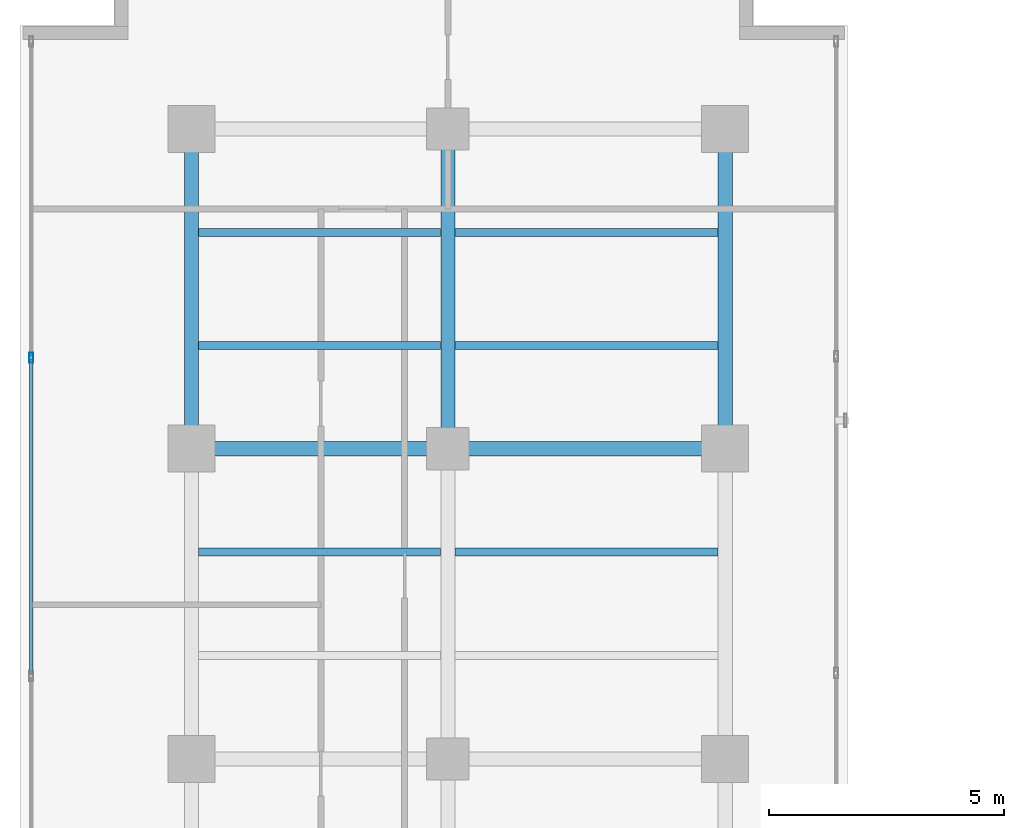
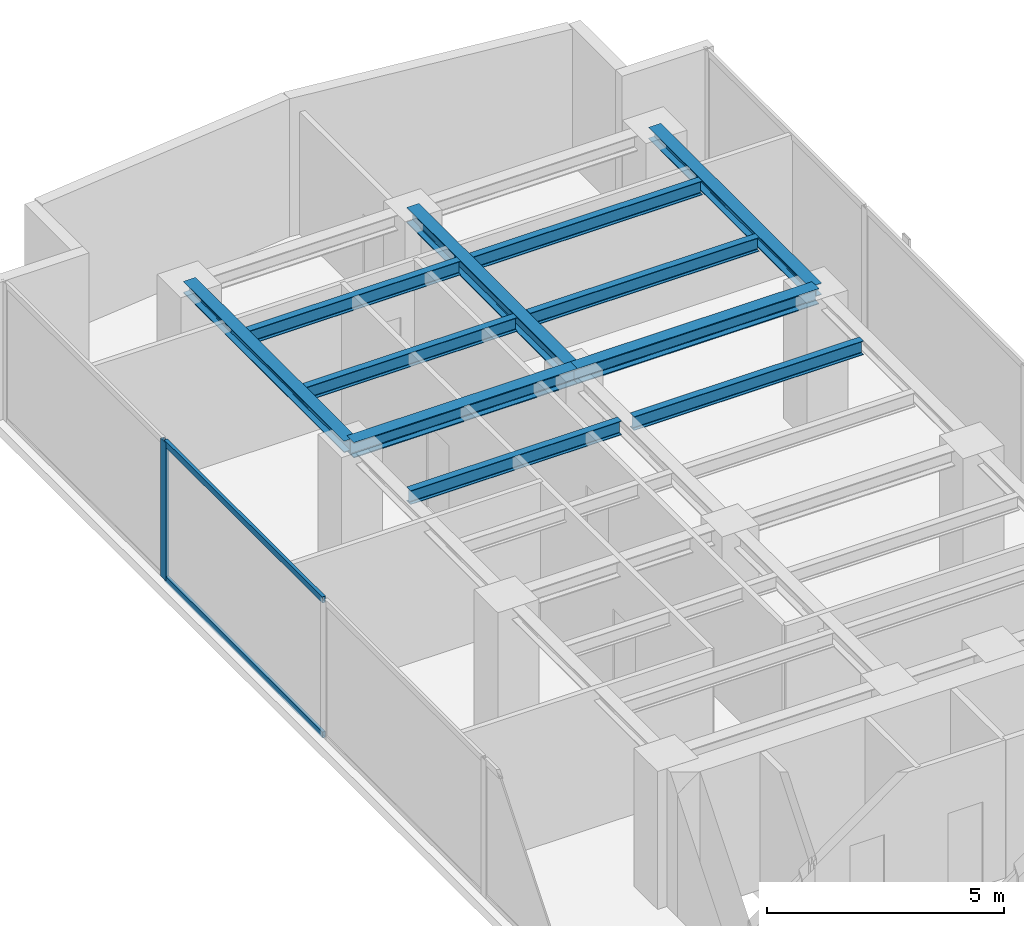
# One storey, part 12 of 23: 11 beams, 3 members, 1 element without a shape of its own.
"""IFC4 building model written with IfcOpenShell, lengths in metres."""

from ifc_helpers import new_model, si_unit, direction, frame, origin, origin_with_axes, origin_2d, place, context, subcontext, project, spatial, hollow_rectangle, i_section, extrude, source, transform, mapped, material, layer, layer_set, material_profile, profile_set, type_object, element, aggregate, save


model = new_model("IFC4")

# Units and contexts
model_context = context("Model", 3, precision=1e-05, world=origin(), true_north=direction((0.0, 1.0)))
body_context = subcontext(model_context, "Body", "Model", "MODEL_VIEW")
ifc_project = project(units=[si_unit("LENGTHUNIT", "METRE"), si_unit("AREAUNIT", "SQUARE_METRE"), si_unit("VOLUMEUNIT", "CUBIC_METRE"), si_unit("PLANEANGLEUNIT", "RADIAN"), si_unit("MASSUNIT", "GRAM", prefix="KILO")], contexts=[model_context])

# Site, building, storey
site_placement = place(None, origin())
site = spatial("IfcSite", under=ifc_project, at=site_placement, CompositionType="ELEMENT")
building_placement = place(site_placement, origin())
building = spatial("IfcBuilding", under=site, at=building_placement, Name="Kolvaren Waterfront Exchange", CompositionType="ELEMENT")
storey_placement = place(building_placement, frame((0.0, 0.0, 242.5)))
storey = spatial("IfcBuildingStorey", under=building, at=storey_placement, Name="L62", CompositionType="ELEMENT", Elevation=242.5)

# Beams
ifc_material_1 = material(Name="Steel S355", Category="steel")
ifc_material_profile_1 = material_profile(ifc_material_1, i_section(OverallWidth=0.300048828125, OverallDepth=0.300048828125, WebThickness=0.010986328125, FlangeThickness=0.01904296875, FilletRadius=0.027099609375, at=origin_2d()), Name="HEB300")
ifc_profile_set_1 = profile_set([ifc_material_profile_1], Name="Steel S355")
beam_type_1 = type_object("IfcBeamType", Name="STR-BM-HEB300", PredefinedType="SPANDREL", material=ifc_profile_set_1)
for number, where, z_axis, x_axis, name in (
    (1, (7.449951171875, 37.800048828125, 3.409912109375), (0.0, 1.0, 0.0), (-1.0, 0.0, 0.0), "L62 north-arm edge beam 3"),
    (2, (18.800048828125, 37.800048828125, 3.409912109375), (0.0, 1.0, 0.0), (-1.0, 0.0, 0.0), "L62 north-arm edge beam 3"),
):
    element("IfcBeam", number, at=place(storey_placement, frame(where, z_axis=z_axis, x_axis=x_axis)), inside=storey, type_object=beam_type_1, Name=name, PredefinedType="SPANDREL", context=body_context, shape_type="SweptSolid", body=[
        extrude(i_section(OverallWidth=0.300048828125, OverallDepth=0.300048828125, WebThickness=0.010986328125, FlangeThickness=0.01904296875, FilletRadius=0.027099609375, at=origin_2d()), origin(), (0.0, 0.0, 1.0), 6.800048828125),
    ])
ifc_material_profile_2 = material_profile(ifc_material_1, i_section(OverallWidth=0.300048828125, OverallDepth=0.39990234375, WebThickness=0.013427734375, FlangeThickness=0.02392578125, FilletRadius=0.027099609375, at=origin_2d()), Name="HEB400")
ifc_profile_set_2 = profile_set([ifc_material_profile_2], Name="Steel S355")
beam_type_2 = type_object("IfcBeamType", Name="STR-BM-HEB400", PredefinedType="BEAM", material=ifc_profile_set_2)
beam_1_placement = place(storey_placement, frame((7.449951171875, 37.800048828125, 3.360107421875), z_axis=(1.0, 0.0, 0.0), x_axis=(0.0, 1.0, 0.0)))
element("IfcBeam", 3, at=beam_1_placement, inside=storey, type_object=beam_type_2, Name="L62 north-arm girder 3A", PredefinedType="BEAM", context=body_context, shape_type="SweptSolid", body=[
    extrude(i_section(OverallWidth=0.300048828125, OverallDepth=0.39990234375, WebThickness=0.013427734375, FlangeThickness=0.02392578125, FilletRadius=0.027099609375, at=origin_2d()), origin(), (0.0, 0.0, 1.0), 5.449951171875),
])
beam_2_placement = place(storey_placement, frame((12.89990234375, 37.800048828125, 3.360107421875), z_axis=(1.0, 0.0, 0.0), x_axis=(0.0, 1.0, 0.0)))
element("IfcBeam", 4, at=beam_2_placement, inside=storey, type_object=beam_type_2, Name="L62 north-arm girder 3B", PredefinedType="BEAM", context=body_context, shape_type="SweptSolid", body=[
    extrude(i_section(OverallWidth=0.300048828125, OverallDepth=0.39990234375, WebThickness=0.013427734375, FlangeThickness=0.02392578125, FilletRadius=0.027099609375, at=origin_2d()), origin(), (0.0, 0.0, 1.0), 5.900146484375),
])
beam_3_placement = place(storey_placement, frame((12.89990234375, 37.800048828125, 3.360107421875), z_axis=(0.0, 1.0, 0.0), x_axis=(-1.0, 0.0, 0.0)))
element("IfcBeam", 5, at=beam_3_placement, inside=storey, type_object=beam_type_2, Name="L62 north-arm edge beam 3", PredefinedType="BEAM", context=body_context, shape_type="SweptSolid", body=[
    extrude(i_section(OverallWidth=0.300048828125, OverallDepth=0.39990234375, WebThickness=0.013427734375, FlangeThickness=0.02392578125, FilletRadius=0.027099609375, at=origin_2d()), origin(), (0.0, 0.0, 1.0), 6.800048828125),
])
ifc_material_profile_3 = material_profile(ifc_material_1, i_section(OverallWidth=0.169921875, OverallDepth=0.360107421875, WebThickness=0.008056640625, FlangeThickness=0.0126953125, FilletRadius=0.01806640625, at=origin_2d()), Name="IPE360")
ifc_profile_set_3 = profile_set([ifc_material_profile_3], Name="Steel S355")
beam_type_3 = type_object("IfcBeamType", Name="STR-BM-IPE360", PredefinedType="JOIST", material=ifc_profile_set_3)
beam_4_placement = place(storey_placement, frame((7.60205078125, 35.60009765625, 3.3798828125), z_axis=(1.0, 0.0, 0.0), x_axis=(0.0, 1.0, 0.0)))
element("IfcBeam", 6, at=beam_4_placement, inside=storey, type_object=beam_type_3, Name="L62 north-arm composite joist 4A", PredefinedType="JOIST", context=body_context, shape_type="SweptSolid", body=[
    extrude(i_section(OverallWidth=0.169921875, OverallDepth=0.360107421875, WebThickness=0.008056640625, FlangeThickness=0.0126953125, FilletRadius=0.01806640625, at=origin_2d()), origin(), (0.0, 0.0, 1.0), 5.14599609375),
])
beam_5_placement = place(storey_placement, frame((13.052001953125, 35.60009765625, 3.3798828125), z_axis=(1.0, 0.0, 0.0), x_axis=(0.0, 1.0, 0.0)))
element("IfcBeam", 7, at=beam_5_placement, inside=storey, type_object=beam_type_3, Name="L62 north-arm composite joist 4B", PredefinedType="JOIST", context=body_context, shape_type="SweptSolid", body=[
    extrude(i_section(OverallWidth=0.169921875, OverallDepth=0.360107421875, WebThickness=0.008056640625, FlangeThickness=0.0126953125, FilletRadius=0.01806640625, at=origin_2d()), origin(), (0.0, 0.0, 1.0), 5.595947265625),
])
beam_6_placement = place(storey_placement, frame((7.60205078125, 40.0, 3.3798828125), z_axis=(1.0, 0.0, 0.0), x_axis=(0.0, 1.0, 0.0)))
element("IfcBeam", 8, at=beam_6_placement, inside=storey, type_object=beam_type_3, Name="L62 north-arm composite joist 5A", PredefinedType="JOIST", context=body_context, shape_type="SweptSolid", body=[
    extrude(i_section(OverallWidth=0.169921875, OverallDepth=0.360107421875, WebThickness=0.008056640625, FlangeThickness=0.0126953125, FilletRadius=0.01806640625, at=origin_2d()), origin(), (0.0, 0.0, 1.0), 5.14599609375),
])
beam_7_placement = place(storey_placement, frame((13.052001953125, 40.0, 3.3798828125), z_axis=(1.0, 0.0, 0.0), x_axis=(0.0, 1.0, 0.0)))
element("IfcBeam", 9, at=beam_7_placement, inside=storey, type_object=beam_type_3, Name="L62 north-arm composite joist 5B", PredefinedType="JOIST", context=body_context, shape_type="SweptSolid", body=[
    extrude(i_section(OverallWidth=0.169921875, OverallDepth=0.360107421875, WebThickness=0.008056640625, FlangeThickness=0.0126953125, FilletRadius=0.01806640625, at=origin_2d()), origin(), (0.0, 0.0, 1.0), 5.595947265625),
])
beam_8_placement = place(storey_placement, frame((7.60205078125, 42.39990234375, 3.3798828125), z_axis=(1.0, 0.0, 0.0), x_axis=(0.0, 1.0, 0.0)))
element("IfcBeam", 10, at=beam_8_placement, inside=storey, type_object=beam_type_3, Name="L62 north-arm composite joist 6A", PredefinedType="JOIST", context=body_context, shape_type="SweptSolid", body=[
    extrude(i_section(OverallWidth=0.169921875, OverallDepth=0.360107421875, WebThickness=0.008056640625, FlangeThickness=0.0126953125, FilletRadius=0.01806640625, at=origin_2d()), origin(), (0.0, 0.0, 1.0), 5.14599609375),
])
beam_9_placement = place(storey_placement, frame((13.052001953125, 42.39990234375, 3.3798828125), z_axis=(1.0, 0.0, 0.0), x_axis=(0.0, 1.0, 0.0)))
element("IfcBeam", 11, at=beam_9_placement, inside=storey, type_object=beam_type_3, Name="L62 north-arm composite joist 6B", PredefinedType="JOIST", context=body_context, shape_type="SweptSolid", body=[
    extrude(i_section(OverallWidth=0.169921875, OverallDepth=0.360107421875, WebThickness=0.008056640625, FlangeThickness=0.0126953125, FilletRadius=0.01806640625, at=origin_2d()), origin(), (0.0, 0.0, 1.0), 5.595947265625),
])

# Curtain wall, members
ifc_material_2 = material(Name="Anodised aluminium 6063-T6", Category="aluminium")
ifc_layer = layer(ifc_material_2, 0.219970703125, Name="Anodised aluminium 6063-T6")
ifc_layer_set = layer_set([ifc_layer], Name="Anodised aluminium 6063-T6")
curtain_wall_type = type_object("IfcCurtainWallType", Name="ARC-CW-SYS2", PredefinedType="USERDEFINED", material=ifc_layer_set)
curtain_wall_placement = place(storey_placement, origin())
curtain_wall = element("IfcCurtainWall", 12, at=curtain_wall_placement, inside=storey, type_object=curtain_wall_type, Name="L62 stick curtain wall CW2 (CW-L62-W)", ObjectType="STICK CURTAIN WALL", PredefinedType="USERDEFINED")
ifc_material_profile_4 = material_profile(ifc_material_2, hollow_rectangle(XDim=0.080078125, YDim=0.219970703125, WallThickness=0.0048828125, at=origin_2d()), Name="ALU-MUL-220x80x5")
ifc_profile_set_4 = profile_set([ifc_material_profile_4], Name="Anodised aluminium 6063-T6")
member_type_1 = type_object("IfcMemberType", Name="ARC-CWM-220", PredefinedType="MULLION", material=ifc_profile_set_4)
shared_shape_1 = source(origin_with_axes(), body_context, "Body", "SweptSolid", [
    extrude(hollow_rectangle(XDim=0.080078125, YDim=0.219970703125, WallThickness=0.0048828125, at=origin_2d()), origin(), (0.0, 0.0, 1.0), 3.56005859375),
])
member_1_placement = place(storey_placement, frame((4.0400390625, 39.7333984375, 0.0), z_axis=(0.0, 0.0, 1.0), x_axis=(-1.0, 0.0, 0.0)))
member_1 = element("IfcMember", 13, at=member_1_placement, type_object=member_type_1, Name="CW2 mullion 6", PredefinedType="MULLION", context=body_context, shape_type="MappedRepresentation", body=[
    mapped(shared_shape_1, transform((0.0, 0.0, 0.0), x_axis=(1.0, 0.0, 0.0), y_axis=(0.0, 1.0, 0.0), z_axis=(0.0, 0.0, 1.0), scale=1.0)),
])
ifc_material_profile_5 = material_profile(ifc_material_2, hollow_rectangle(XDim=0.074951171875, YDim=0.159912109375, WallThickness=0.00439453125, at=origin_2d()), Name="ALU-TRN-160x75x4.5")
ifc_profile_set_5 = profile_set([ifc_material_profile_5], Name="Anodised aluminium 6063-T6")
member_type_2 = type_object("IfcMemberType", Name="ARC-CWT-160", PredefinedType="USERDEFINED", material=ifc_profile_set_5)
shared_shape_2 = source(origin_with_axes(), body_context, "Body", "SweptSolid", [
    extrude(hollow_rectangle(XDim=0.074951171875, YDim=0.159912109375, WallThickness=0.00439453125, at=origin_2d()), origin(), (0.0, 0.0, 1.0), 6.686767578125),
])
member_2_placement = place(storey_placement, frame((4.0400390625, 33.006591796875, 0.03759765625), z_axis=(0.0, 1.0, 0.0), x_axis=(-1.0, 0.0, 0.0)))
member_2 = element("IfcMember", 14, at=member_2_placement, type_object=member_type_2, Name="CW2 transom 5.1", ObjectType="TRANSOM", PredefinedType="USERDEFINED", context=body_context, shape_type="MappedRepresentation", body=[
    mapped(shared_shape_2, transform((0.0, 0.0, 0.0), x_axis=(1.0, 0.0, 0.0), y_axis=(0.0, 1.0, 0.0), z_axis=(0.0, 0.0, 1.0), scale=1.0)),
])
member_3_placement = place(storey_placement, frame((4.0400390625, 33.006591796875, 3.5224609375), z_axis=(0.0, 1.0, 0.0), x_axis=(-1.0, 0.0, 0.0)))
member_3 = element("IfcMember", 15, at=member_3_placement, type_object=member_type_2, Name="CW2 transom 5.2", ObjectType="TRANSOM", PredefinedType="USERDEFINED", context=body_context, shape_type="MappedRepresentation", body=[
    mapped(shared_shape_2, transform((0.0, 0.0, 0.0), x_axis=(1.0, 0.0, 0.0), y_axis=(0.0, 1.0, 0.0), z_axis=(0.0, 0.0, 1.0), scale=1.0)),
])
aggregate(curtain_wall, [member_1, member_2, member_3])

save(model, "model.ifc")
